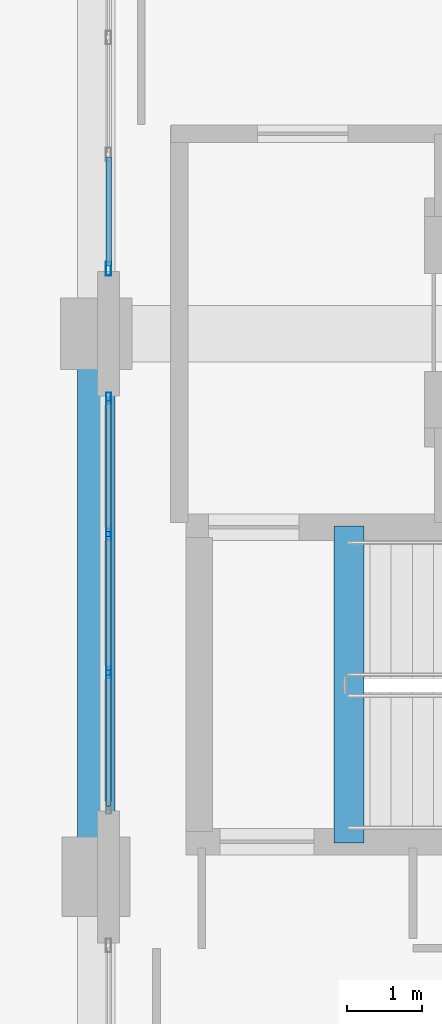
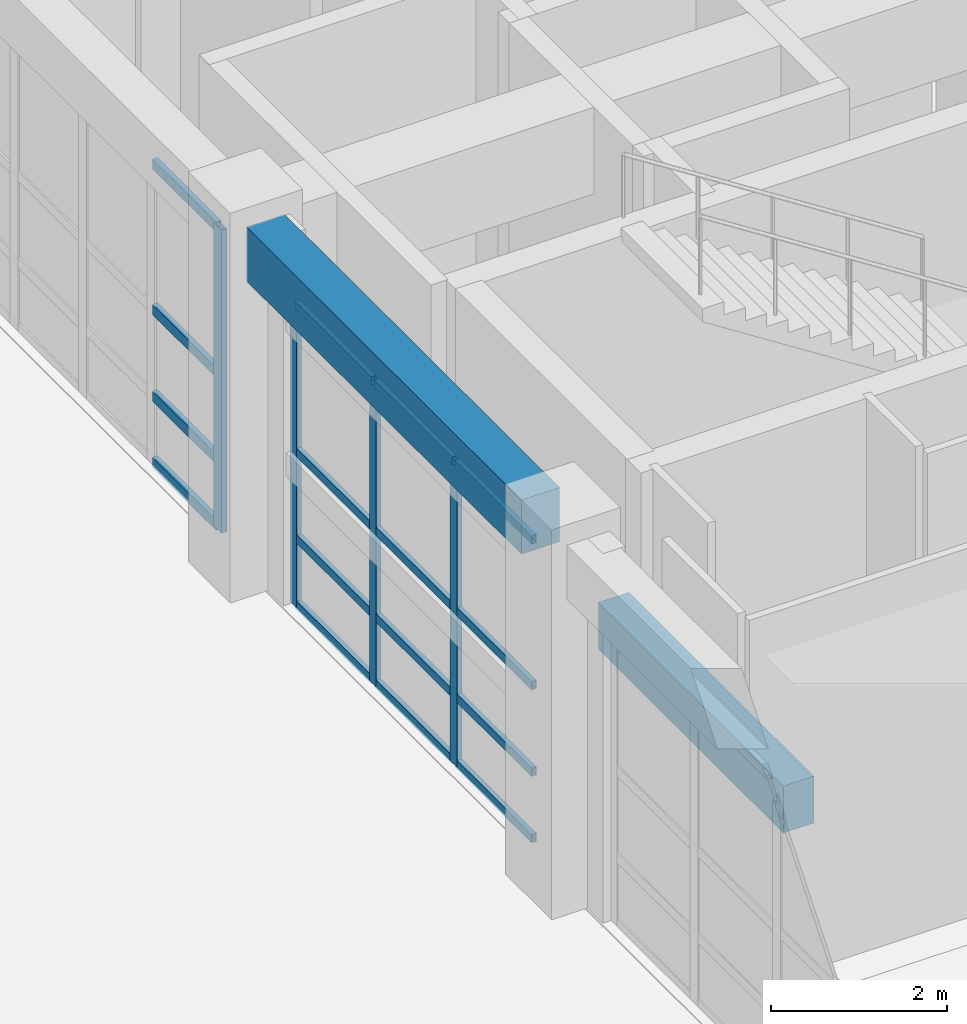
# One storey, part 56 of 148: 20 members, 2 beams, 2 elements without a shape of their own.
"""IFC4 building model written with IfcOpenShell, lengths in metres."""

from ifc_helpers import new_model, si_unit, direction, frame, origin, origin_2d, place, context, subcontext, project, spatial, rectangle, hollow_rectangle, extrude, material, layer, layer_set, material_profile, profile_set, type_object, element, aggregate, save


model = new_model("IFC4")

# Units and contexts
model_context = context("Model", 3, precision=1e-05, world=origin(), true_north=direction((0.0, 1.0)))
body_context = subcontext(model_context, "Body", "Model", "MODEL_VIEW")
ifc_project = project(units=[si_unit("LENGTHUNIT", "METRE"), si_unit("AREAUNIT", "SQUARE_METRE"), si_unit("VOLUMEUNIT", "CUBIC_METRE"), si_unit("PLANEANGLEUNIT", "RADIAN"), si_unit("MASSUNIT", "GRAM", prefix="KILO")], contexts=[model_context])

# Site, building, storey
site_placement = place(None, origin())
site = spatial("IfcSite", under=ifc_project, at=site_placement, CompositionType="ELEMENT")
building_placement = place(site_placement, origin())
building = spatial("IfcBuilding", under=site, at=building_placement, Name="Quendrovan Civic Courthouse", CompositionType="ELEMENT")
storey_placement = place(building_placement, origin())
storey = spatial("IfcBuildingStorey", under=building, at=storey_placement, Name="L01", CompositionType="ELEMENT", Elevation=0.0)

# Beams
ifc_material_1 = material(Name="Concrete C40/50", Category="concrete")
ifc_material_profile_1 = material_profile(ifc_material_1, rectangle(XDim=0.39990234375, YDim=0.64990234375, at=origin_2d()), Name="RC-BM-400x650")
ifc_profile_set_1 = profile_set([ifc_material_profile_1], Name="Concrete C40/50")
beam_type_1 = type_object("IfcBeamType", Name="BM-RC650", PredefinedType="JOIST", material=ifc_profile_set_1)
beam_1_placement = place(storey_placement, frame((36.949951171875, 95.25, -0.324951171875), z_axis=(0.0, 1.0, 0.0), x_axis=(-1.0, 0.0, 0.0)))
element("IfcBeam", 1, at=beam_1_placement, inside=storey, type_object=beam_type_1, Name="L01 Stair ST1 Landing Trimmer Beam", PredefinedType="JOIST", context=body_context, shape_type="SweptSolid", body=[
    extrude(rectangle(XDim=0.39990234375, YDim=0.64990234375, at=origin_2d()), origin(), (0.0, 0.0, 1.0), 4.199951171875),
])
ifc_material_profile_2 = material_profile(ifc_material_1, rectangle(XDim=0.5, YDim=0.75, at=origin_2d()), Name="RC-BM-500x750")
ifc_profile_set_2 = profile_set([ifc_material_profile_2], Name="Concrete C40/50")
beam_type_2 = type_object("IfcBeamType", Name="BM-RC750", PredefinedType="SPANDREL", material=ifc_profile_set_2)
beam_2_placement = place(storey_placement, frame((33.60009765625, 95.304931640625, 4.7451171875), z_axis=(0.0, 1.0, 0.0), x_axis=(-1.0, 0.0, 0.0)))
element("IfcBeam", 2, at=beam_2_placement, inside=storey, type_object=beam_type_2, Name="L01 Girder Y0408", PredefinedType="SPANDREL", context=body_context, shape_type="SweptSolid", body=[
    extrude(rectangle(XDim=0.5, YDim=0.75, at=origin_2d()), origin(), (0.0, 0.0, 1.0), 6.239990234375),
])

# Curtain wall, member
ifc_material_2 = material(Name="Bronze anodised aluminium and low-E glass", Category="aluminium")
ifc_layer_1 = layer(ifc_material_2, 0.179931640625, Name="Bronze anodised aluminium and low-E glass")
ifc_layer_set_1 = layer_set([ifc_layer_1], Name="Bronze anodised aluminium and low-E glass")
curtain_wall_type_1 = type_object("IfcCurtainWallType", Name="CW-U62x42", PredefinedType="USERDEFINED", material=ifc_layer_set_1)
curtain_wall_1_placement = place(storey_placement, origin())
curtain_wall_1 = element("IfcCurtainWall", 3, at=curtain_wall_1_placement, inside=storey, type_object=curtain_wall_type_1, Name="L01 Unitised Hurricane Curtain Wall CW-024", ObjectType="UNITISED CURTAIN WALL", PredefinedType="USERDEFINED")
ifc_material_3 = material(Name="Bronze anodised aluminium", Category="aluminium")
ifc_material_profile_3 = material_profile(ifc_material_3, hollow_rectangle(XDim=0.070068359375, YDim=0.179931640625, WallThickness=0.00390625, at=origin_2d()), Name="CW-MULL-70x180")
ifc_profile_set_3 = profile_set([ifc_material_profile_3], Name="Bronze anodised aluminium")
member_type_1 = type_object("IfcMemberType", Name="CW-MULL-A", PredefinedType="MULLION", material=ifc_profile_set_3)
member_1_placement = place(storey_placement, frame((33.764892578125, 102.860107421875, 0.0), z_axis=(0.0, 0.0, 1.0), x_axis=(-1.0, 0.0, 0.0)))
member_1 = element("IfcMember", 4, at=member_1_placement, type_object=member_type_1, Name="CW-024 mullion 1", PredefinedType="MULLION", context=body_context, shape_type="SweptSolid", body=[
    extrude(hollow_rectangle(XDim=0.070068359375, YDim=0.179931640625, WallThickness=0.00390625, at=origin_2d()), origin(), (0.0, 0.0, 1.0), 4.199951171875),
])

# Curtain wall, members
ifc_layer_2 = layer(ifc_material_2, 0.179931640625, Name="Bronze anodised aluminium and low-E glass")
ifc_layer_set_2 = layer_set([ifc_layer_2], Name="Bronze anodised aluminium and low-E glass")
curtain_wall_type_2 = type_object("IfcCurtainWallType", Name="CW-U55x42", PredefinedType="USERDEFINED", material=ifc_layer_set_2)
curtain_wall_2_placement = place(storey_placement, origin())
curtain_wall_2 = element("IfcCurtainWall", 5, at=curtain_wall_2_placement, inside=storey, type_object=curtain_wall_type_2, Name="L01 Unitised Hurricane Curtain Wall CW-023", ObjectType="UNITISED CURTAIN WALL", PredefinedType="USERDEFINED")
ifc_material_profile_4 = material_profile(ifc_material_3, hollow_rectangle(XDim=0.06494140625, YDim=0.14990234375, WallThickness=0.00390625, at=origin_2d()), Name="CW-MULL-65x150")
ifc_profile_set_4 = profile_set([ifc_material_profile_4], Name="Bronze anodised aluminium")
member_type_2 = type_object("IfcMemberType", Name="CW-MULL-B", PredefinedType="MULLION", material=ifc_profile_set_4)
member_2_placement = place(storey_placement, frame((33.764892578125, 97.50830078125, 0.0), z_axis=(0.0, 0.0, 1.0), x_axis=(-1.0, 0.0, 0.0)))
member_2 = element("IfcMember", 6, at=member_2_placement, type_object=member_type_2, Name="CW-023 mullion 2", PredefinedType="MULLION", context=body_context, shape_type="SweptSolid", body=[
    extrude(hollow_rectangle(XDim=0.06494140625, YDim=0.14990234375, WallThickness=0.00390625, at=origin_2d()), origin(), (0.0, 0.0, 1.0), 4.199951171875),
])
member_3_placement = place(storey_placement, frame((33.764892578125, 99.341552734375, 0.0), z_axis=(0.0, 0.0, 1.0), x_axis=(-1.0, 0.0, 0.0)))
member_3 = element("IfcMember", 7, at=member_3_placement, type_object=member_type_2, Name="CW-023 mullion 3", PredefinedType="MULLION", context=body_context, shape_type="SweptSolid", body=[
    extrude(hollow_rectangle(XDim=0.06494140625, YDim=0.14990234375, WallThickness=0.00390625, at=origin_2d()), origin(), (0.0, 0.0, 1.0), 4.199951171875),
])
member_4_placement = place(storey_placement, frame((33.764892578125, 101.142578125, 0.0), z_axis=(0.0, 0.0, 1.0), x_axis=(-1.0, 0.0, 0.0)))
member_4 = element("IfcMember", 8, at=member_4_placement, type_object=member_type_2, Name="CW-023 mullion 4", PredefinedType="MULLION", context=body_context, shape_type="SweptSolid", body=[
    extrude(hollow_rectangle(XDim=0.06494140625, YDim=0.14990234375, WallThickness=0.00390625, at=origin_2d()), origin(), (0.0, 0.0, 1.0), 4.199951171875),
])

# Member
ifc_material_profile_5 = material_profile(ifc_material_3, hollow_rectangle(XDim=0.070068359375, YDim=0.139892578125, WallThickness=0.00390625, at=origin_2d()), Name="CW-TRAN-70x140")
ifc_profile_set_5 = profile_set([ifc_material_profile_5], Name="Bronze anodised aluminium")
member_type_3 = type_object("IfcMemberType", Name="CW-TRAN-A", PredefinedType="USERDEFINED", material=ifc_profile_set_5)
member_5_placement = place(storey_placement, frame((33.764892578125, 102.89501953125, 0.034912109375), z_axis=(0.0, 1.0, 0.0), x_axis=(-1.0, 0.0, 0.0)))
member_5 = element("IfcMember", 9, at=member_5_placement, type_object=member_type_3, Name="CW-024 transom 1.1", ObjectType="TRANSOM", PredefinedType="USERDEFINED", context=body_context, shape_type="SweptSolid", body=[
    extrude(hollow_rectangle(XDim=0.070068359375, YDim=0.139892578125, WallThickness=0.00390625, at=origin_2d()), origin(), (0.0, 0.0, 1.0), 1.445068359375),
])

member_6_placement = place(storey_placement, frame((33.764892578125, 102.89501953125, 0.949951171875), z_axis=(0.0, 1.0, 0.0), x_axis=(-1.0, 0.0, 0.0)))
member_6 = element("IfcMember", 10, at=member_6_placement, type_object=member_type_3, Name="CW-024 transom 1.2", ObjectType="TRANSOM", PredefinedType="USERDEFINED", context=body_context, shape_type="SweptSolid", body=[
    extrude(hollow_rectangle(XDim=0.070068359375, YDim=0.139892578125, WallThickness=0.00390625, at=origin_2d()), origin(), (0.0, 0.0, 1.0), 1.445068359375),
])

member_7_placement = place(storey_placement, frame((33.764892578125, 102.89501953125, 2.14990234375), z_axis=(0.0, 1.0, 0.0), x_axis=(-1.0, 0.0, 0.0)))
member_7 = element("IfcMember", 11, at=member_7_placement, type_object=member_type_3, Name="CW-024 transom 1.3", ObjectType="TRANSOM", PredefinedType="USERDEFINED", context=body_context, shape_type="SweptSolid", body=[
    extrude(hollow_rectangle(XDim=0.070068359375, YDim=0.139892578125, WallThickness=0.00390625, at=origin_2d()), origin(), (0.0, 0.0, 1.0), 1.445068359375),
])

member_8_placement = place(storey_placement, frame((33.764892578125, 102.89501953125, 4.1650390625), z_axis=(0.0, 1.0, 0.0), x_axis=(-1.0, 0.0, 0.0)))
member_8 = element("IfcMember", 12, at=member_8_placement, type_object=member_type_3, Name="CW-024 transom 1.4", ObjectType="TRANSOM", PredefinedType="USERDEFINED", context=body_context, shape_type="SweptSolid", body=[
    extrude(hollow_rectangle(XDim=0.070068359375, YDim=0.139892578125, WallThickness=0.00390625, at=origin_2d()), origin(), (0.0, 0.0, 1.0), 1.445068359375),
])

aggregate(curtain_wall_1, [member_1, member_5, member_6, member_7, member_8])

ifc_material_profile_6 = material_profile(ifc_material_3, hollow_rectangle(XDim=0.06494140625, YDim=0.114990234375, WallThickness=0.00390625, at=origin_2d()), Name="CW-TRAN-65x115")
ifc_profile_set_6 = profile_set([ifc_material_profile_6], Name="Bronze anodised aluminium")
member_type_4 = type_object("IfcMemberType", Name="CW-TRAN-B", PredefinedType="USERDEFINED", material=ifc_profile_set_6)
member_9_placement = place(storey_placement, frame((33.764892578125, 95.739990234375, 0.032470703125), z_axis=(0.0, 1.0, 0.0), x_axis=(-1.0, 0.0, 0.0)))
member_9 = element("IfcMember", 13, at=member_9_placement, type_object=member_type_4, Name="CW-023 transom 1.1", ObjectType="TRANSOM", PredefinedType="USERDEFINED", context=body_context, shape_type="SweptSolid", body=[
    extrude(hollow_rectangle(XDim=0.06494140625, YDim=0.114990234375, WallThickness=0.00390625, at=origin_2d()), origin(), (0.0, 0.0, 1.0), 1.73583984375),
])

member_10_placement = place(storey_placement, frame((33.764892578125, 95.739990234375, 0.949951171875), z_axis=(0.0, 1.0, 0.0), x_axis=(-1.0, 0.0, 0.0)))
member_10 = element("IfcMember", 14, at=member_10_placement, type_object=member_type_4, Name="CW-023 transom 1.2", ObjectType="TRANSOM", PredefinedType="USERDEFINED", context=body_context, shape_type="SweptSolid", body=[
    extrude(hollow_rectangle(XDim=0.06494140625, YDim=0.114990234375, WallThickness=0.00390625, at=origin_2d()), origin(), (0.0, 0.0, 1.0), 1.73583984375),
])

member_11_placement = place(storey_placement, frame((33.764892578125, 95.739990234375, 2.14990234375), z_axis=(0.0, 1.0, 0.0), x_axis=(-1.0, 0.0, 0.0)))
member_11 = element("IfcMember", 15, at=member_11_placement, type_object=member_type_4, Name="CW-023 transom 1.3", ObjectType="TRANSOM", PredefinedType="USERDEFINED", context=body_context, shape_type="SweptSolid", body=[
    extrude(hollow_rectangle(XDim=0.06494140625, YDim=0.114990234375, WallThickness=0.00390625, at=origin_2d()), origin(), (0.0, 0.0, 1.0), 1.73583984375),
])

member_12_placement = place(storey_placement, frame((33.764892578125, 95.739990234375, 4.16748046875), z_axis=(0.0, 1.0, 0.0), x_axis=(-1.0, 0.0, 0.0)))
member_12 = element("IfcMember", 16, at=member_12_placement, type_object=member_type_4, Name="CW-023 transom 1.4", ObjectType="TRANSOM", PredefinedType="USERDEFINED", context=body_context, shape_type="SweptSolid", body=[
    extrude(hollow_rectangle(XDim=0.06494140625, YDim=0.114990234375, WallThickness=0.00390625, at=origin_2d()), origin(), (0.0, 0.0, 1.0), 1.73583984375),
])

member_13_placement = place(storey_placement, frame((33.764892578125, 97.540771484375, 0.032470703125), z_axis=(0.0, 1.0, 0.0), x_axis=(-1.0, 0.0, 0.0)))
member_13 = element("IfcMember", 17, at=member_13_placement, type_object=member_type_4, Name="CW-023 transom 2.1", ObjectType="TRANSOM", PredefinedType="USERDEFINED", context=body_context, shape_type="SweptSolid", body=[
    extrude(hollow_rectangle(XDim=0.06494140625, YDim=0.114990234375, WallThickness=0.00390625, at=origin_2d()), origin(), (0.0, 0.0, 1.0), 1.768310546875),
])

member_14_placement = place(storey_placement, frame((33.764892578125, 97.540771484375, 0.949951171875), z_axis=(0.0, 1.0, 0.0), x_axis=(-1.0, 0.0, 0.0)))
member_14 = element("IfcMember", 18, at=member_14_placement, type_object=member_type_4, Name="CW-023 transom 2.2", ObjectType="TRANSOM", PredefinedType="USERDEFINED", context=body_context, shape_type="SweptSolid", body=[
    extrude(hollow_rectangle(XDim=0.06494140625, YDim=0.114990234375, WallThickness=0.00390625, at=origin_2d()), origin(), (0.0, 0.0, 1.0), 1.768310546875),
])

member_15_placement = place(storey_placement, frame((33.764892578125, 97.540771484375, 2.14990234375), z_axis=(0.0, 1.0, 0.0), x_axis=(-1.0, 0.0, 0.0)))
member_15 = element("IfcMember", 19, at=member_15_placement, type_object=member_type_4, Name="CW-023 transom 2.3", ObjectType="TRANSOM", PredefinedType="USERDEFINED", context=body_context, shape_type="SweptSolid", body=[
    extrude(hollow_rectangle(XDim=0.06494140625, YDim=0.114990234375, WallThickness=0.00390625, at=origin_2d()), origin(), (0.0, 0.0, 1.0), 1.768310546875),
])

member_16_placement = place(storey_placement, frame((33.764892578125, 97.540771484375, 4.16748046875), z_axis=(0.0, 1.0, 0.0), x_axis=(-1.0, 0.0, 0.0)))
member_16 = element("IfcMember", 20, at=member_16_placement, type_object=member_type_4, Name="CW-023 transom 2.4", ObjectType="TRANSOM", PredefinedType="USERDEFINED", context=body_context, shape_type="SweptSolid", body=[
    extrude(hollow_rectangle(XDim=0.06494140625, YDim=0.114990234375, WallThickness=0.00390625, at=origin_2d()), origin(), (0.0, 0.0, 1.0), 1.768310546875),
])

member_17_placement = place(storey_placement, frame((33.764892578125, 99.374267578125, 0.032470703125), z_axis=(0.0, 1.0, 0.0), x_axis=(-1.0, 0.0, 0.0)))
member_17 = element("IfcMember", 21, at=member_17_placement, type_object=member_type_4, Name="CW-023 transom 3.1", ObjectType="TRANSOM", PredefinedType="USERDEFINED", context=body_context, shape_type="SweptSolid", body=[
    extrude(hollow_rectangle(XDim=0.06494140625, YDim=0.114990234375, WallThickness=0.00390625, at=origin_2d()), origin(), (0.0, 0.0, 1.0), 1.73583984375),
])

member_18_placement = place(storey_placement, frame((33.764892578125, 99.374267578125, 0.949951171875), z_axis=(0.0, 1.0, 0.0), x_axis=(-1.0, 0.0, 0.0)))
member_18 = element("IfcMember", 22, at=member_18_placement, type_object=member_type_4, Name="CW-023 transom 3.2", ObjectType="TRANSOM", PredefinedType="USERDEFINED", context=body_context, shape_type="SweptSolid", body=[
    extrude(hollow_rectangle(XDim=0.06494140625, YDim=0.114990234375, WallThickness=0.00390625, at=origin_2d()), origin(), (0.0, 0.0, 1.0), 1.73583984375),
])

member_19_placement = place(storey_placement, frame((33.764892578125, 99.374267578125, 2.14990234375), z_axis=(0.0, 1.0, 0.0), x_axis=(-1.0, 0.0, 0.0)))
member_19 = element("IfcMember", 23, at=member_19_placement, type_object=member_type_4, Name="CW-023 transom 3.3", ObjectType="TRANSOM", PredefinedType="USERDEFINED", context=body_context, shape_type="SweptSolid", body=[
    extrude(hollow_rectangle(XDim=0.06494140625, YDim=0.114990234375, WallThickness=0.00390625, at=origin_2d()), origin(), (0.0, 0.0, 1.0), 1.73583984375),
])

member_20_placement = place(storey_placement, frame((33.764892578125, 99.374267578125, 4.16748046875), z_axis=(0.0, 1.0, 0.0), x_axis=(-1.0, 0.0, 0.0)))
member_20 = element("IfcMember", 24, at=member_20_placement, type_object=member_type_4, Name="CW-023 transom 3.4", ObjectType="TRANSOM", PredefinedType="USERDEFINED", context=body_context, shape_type="SweptSolid", body=[
    extrude(hollow_rectangle(XDim=0.06494140625, YDim=0.114990234375, WallThickness=0.00390625, at=origin_2d()), origin(), (0.0, 0.0, 1.0), 1.73583984375),
])

aggregate(curtain_wall_2, [member_2, member_3, member_4, member_9, member_10, member_11, member_12, member_13, member_14, member_15, member_16, member_17, member_18, member_19, member_20])

save(model, "model.ifc")
